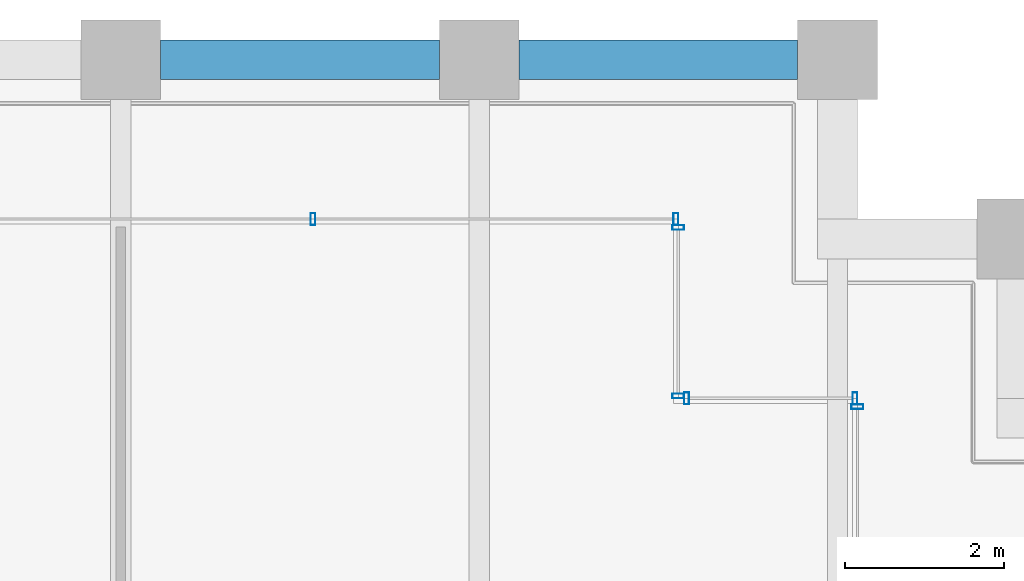
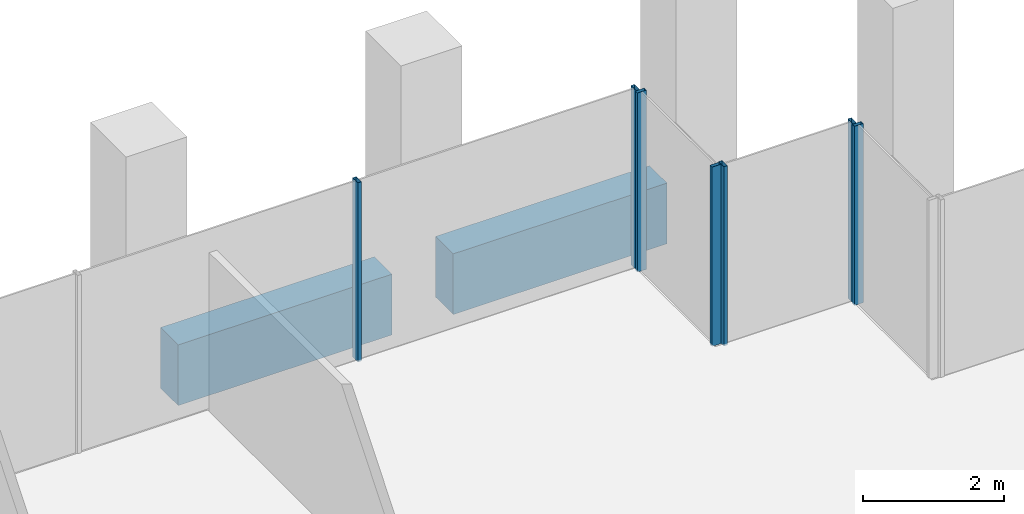
# One storey, part 26 of 47: 7 members, 2 beams, 4 elements without a shape of their own.
"""IFC4 building model written with IfcOpenShell, lengths in metres."""

import ifcopenshell
import ifcopenshell.guid

model = None  # the IFC model being written
_history = None  # IfcOwnerHistory: only IFC2X3 demands one
_inside = {}  # id of a spatial element -> (the spatial element, [elements in it])
_under = {}  # id of a project, library or spatial element -> (it, [spatial elements below it])
_declared = {}  # id of a project -> (the project, [libraries it declares])
_typed = {}  # id of a type object -> (the type object, [elements of that type])
_made_of = {}  # id of a material, layer set ... -> (it, [elements and type objects made of it])


def new_model(schema):
    """Start an empty IFC model of exactly this schema.

    Asked for "IFC4X3", IfcOpenShell would pick the latest addendum, in which some entities
    have other attributes; the version numbers below select the first issue.
    IFC2X3 requires an IfcOwnerHistory on every rooted entity: one is made here for all.
    """
    global model, _history
    if schema == "IFC4X3":
        model = ifcopenshell.file(schema_version=(4, 3, 0, 0))
    else:
        model = ifcopenshell.file(schema=schema)
    _inside.clear()
    _under.clear()
    _declared.clear()
    _typed.clear()
    _made_of.clear()
    _history = None
    if model.schema == "IFC2X3":
        org = make("IfcOrganization", Name="unknown")
        user = make(
            "IfcPersonAndOrganization",
            ThePerson=make("IfcPerson", FamilyName="unknown"),
            TheOrganization=org,
        )
        app = make(
            "IfcApplication",
            ApplicationDeveloper=org,
            Version="unknown",
            ApplicationFullName="unknown",
            ApplicationIdentifier="unknown",
        )
        _history = make(
            "IfcOwnerHistory",
            OwningUser=user,
            OwningApplication=app,
            ChangeAction="ADDED",
            CreationDate=0,
        )
    return model


def make(cls, **values):
    """One entity of the class cls with the attributes given. An attribute that is None is left unset."""
    return model.create_entity(
        cls, **{name: value for name, value in values.items() if value is not None}
    )


def rooted(cls, **values):
    """An entity with a GlobalId (a new one), such as an element, a storey or a relation."""
    return make(cls, GlobalId=ifcopenshell.guid.new(), OwnerHistory=_history, **values)


def si_unit(unit_type, name, prefix=None):
    """IfcSIUnit, for example si_unit("LENGTHUNIT", "METRE", prefix="MILLI")."""
    return make("IfcSIUnit", UnitType=unit_type, Prefix=prefix, Name=name)


def assignment(units):
    """IfcUnitAssignment: the units of a project."""
    return None if units is None else make("IfcUnitAssignment", Units=units)


def point(xyz):
    """IfcCartesianPoint."""
    return None if xyz is None else make("IfcCartesianPoint", Coordinates=xyz)


def direction(xyz):
    """IfcDirection."""
    return None if xyz is None else make("IfcDirection", DirectionRatios=xyz)


def frame(location, z_axis=None, x_axis=None):
    """IfcAxis2Placement3D, a coordinate frame: its origin and axes. An axis left out is left unset."""
    return make(
        "IfcAxis2Placement3D",
        Location=point(location),
        Axis=direction(z_axis),
        RefDirection=direction(x_axis),
    )


def frame_2d(location, x_axis=None):
    """IfcAxis2Placement2D, a coordinate frame in the plane: its origin and x axis."""
    return make(
        "IfcAxis2Placement2D", Location=point(location), RefDirection=direction(x_axis)
    )


def origin():
    """The frame at (0, 0, 0) with its axes left unset."""
    return frame((0.0, 0.0, 0.0))


def origin_2d():
    """The frame at (0, 0) in the plane with its x axis left unset."""
    return frame_2d((0.0, 0.0))


def place(relative_to, where):
    """IfcLocalPlacement: puts the frame where relative to a parent placement (None: the world)."""
    return make(
        "IfcLocalPlacement", PlacementRelTo=relative_to, RelativePlacement=where
    )


def context(
    kind, dimensions, precision=None, world=None, true_north=None, identifier=None
):
    """IfcGeometricRepresentationContext, for example the 3D "Model" context."""
    return make(
        "IfcGeometricRepresentationContext",
        ContextIdentifier=identifier,
        ContextType=kind,
        CoordinateSpaceDimension=dimensions,
        Precision=precision,
        WorldCoordinateSystem=world,
        TrueNorth=true_north,
    )


def subcontext(parent, identifier, kind, view, scale=None):
    """IfcGeometricRepresentationSubContext, for example "Body" below "Model"."""
    return make(
        "IfcGeometricRepresentationSubContext",
        ContextIdentifier=identifier,
        ContextType=kind,
        ParentContext=parent,
        TargetScale=scale,
        TargetView=view,
    )


def project(units=None, contexts=None):
    """IfcProject with its units and contexts."""
    return rooted(
        "IfcProject",
        Name="project",
        RepresentationContexts=contexts,
        UnitsInContext=assignment(units),
    )


def spatial(cls, under=None, at=None, **own):
    """A site, building, storey or space (cls), placed at a placement, below another one or the project."""
    s = rooted(cls, ObjectPlacement=at, **own)
    if under is not None:
        _under.setdefault(under.id(), (under, []))[1].append(s)
    return s


def profile(cls, at=None, kind="AREA", **sizes):
    """A parametric profile (cls). Its sizes go by their IFC names, for example OverallWidth=200.0."""
    return make(cls, ProfileType=kind, Position=at, **sizes)


def rectangle(**sizes):
    """IfcRectangleProfileDef."""
    return profile("IfcRectangleProfileDef", **sizes)


def hollow_rectangle(**sizes):
    """IfcRectangleHollowProfileDef."""
    return profile("IfcRectangleHollowProfileDef", **sizes)


def extrude(swept, where, along, depth):
    """IfcExtrudedAreaSolid: the profile swept, set in the frame where, extruded along a direction by depth."""
    return make(
        "IfcExtrudedAreaSolid",
        SweptArea=swept,
        Position=where,
        ExtrudedDirection=direction(along),
        Depth=depth,
    )


def shape(context_of_items, identifier, shape_type, items):
    """IfcShapeRepresentation: the items that make up one representation, for example the "Body"."""
    return make(
        "IfcShapeRepresentation",
        ContextOfItems=context_of_items,
        RepresentationIdentifier=identifier,
        RepresentationType=shape_type,
        Items=items,
    )


def material(Name=None, Category=None):
    """IfcMaterial."""
    return make("IfcMaterial", Name=Name, Category=Category)


def material_profile(
    of_material, cross_section, Name=None, Category=None, Priority=None
):
    """IfcMaterialProfile: a cross section and its material."""
    return make(
        "IfcMaterialProfile",
        Name=Name,
        Material=of_material,
        Profile=cross_section,
        Priority=Priority,
        Category=Category,
    )


def profile_set(profiles, Name=None, composite=None):
    """IfcMaterialProfileSet."""
    return make(
        "IfcMaterialProfileSet",
        Name=Name,
        MaterialProfiles=profiles,
        CompositeProfile=composite,
    )


def made_of(thing, what):
    """Note that an element or type object is made of a material, layer set ...; save() writes the relation."""
    if what is not None:
        _made_of.setdefault(what.id(), (what, []))[1].append(thing)
    return thing


def type_object(cls, material=None, **own):
    """A type object (cls), such as IfcWallType, which elements share."""
    return made_of(rooted(cls, **own), material)


def element(
    cls,
    number,
    at=None,
    inside=None,
    cuts=None,
    type_object=None,
    material=None,
    context=None,
    identifier="Body",
    shape_type=None,
    held_by="IfcProductDefinitionShape",
    body=None,
    shapes=None,
    **own,
):
    """One element of the class cls, such as IfcWall. Its Tag is "e" and its number.

    at: its placement. inside: the storey or other place that contains it. cuts: it is an
    opening in that element (IfcRelVoidsElement). A single representation is given by context,
    identifier, shape_type and body (its items); several are given by shapes. held_by: the class
    of the entity that holds the representations. save() writes the other relations.
    """
    e = rooted(cls, Tag="e%d" % number, ObjectPlacement=at, **own)
    if body is not None:
        shapes = [shape(context, identifier, shape_type, body)]
    if shapes is not None:
        e.Representation = make(held_by, Representations=shapes)
    if inside is not None:
        _inside.setdefault(inside.id(), (inside, []))[1].append(e)
    if cuts is not None:
        rooted(
            "IfcRelVoidsElement", RelatingBuildingElement=cuts, RelatedOpeningElement=e
        )
    if type_object is not None:
        _typed.setdefault(type_object.id(), (type_object, []))[1].append(e)
    return made_of(e, material)


def aggregate(whole, parts):
    """IfcRelAggregates: a whole, such as a stair, and the parts it consists of."""
    return rooted("IfcRelAggregates", RelatingObject=whole, RelatedObjects=parts)


def save(model, path):
    """Write the relations noted so far, then the file.

    IfcRelAggregates (storeys below a building ...), IfcRelContainedInSpatialStructure (elements
    in a storey), IfcRelDefinesByType, IfcRelAssociatesMaterial and IfcRelDeclares: one each for
    every whole, place, type object, material and project.
    """
    for whole, parts in _under.values():
        aggregate(whole, parts)
    for where, things in _inside.values():
        rooted(
            "IfcRelContainedInSpatialStructure",
            RelatedElements=things,
            RelatingStructure=where,
        )
    for kind, things in _typed.values():
        rooted("IfcRelDefinesByType", RelatedObjects=things, RelatingType=kind)
    for what, things in _made_of.values():
        rooted("IfcRelAssociatesMaterial", RelatedObjects=things, RelatingMaterial=what)
    for by, libraries in _declared.values():
        rooted("IfcRelDeclares", RelatingContext=by, RelatedDefinitions=libraries)
    model.write(path)


model = new_model("IFC4")

# Units and contexts
model_context = context("Model", 3, precision=1e-05, world=origin(), true_north=direction((0.0, 1.0)))
body_context = subcontext(model_context, "Body", "Model", "MODEL_VIEW")
ifc_project = project(units=[si_unit("LENGTHUNIT", "METRE"), si_unit("AREAUNIT", "SQUARE_METRE"), si_unit("VOLUMEUNIT", "CUBIC_METRE"), si_unit("PLANEANGLEUNIT", "RADIAN"), si_unit("MASSUNIT", "GRAM", prefix="KILO")], contexts=[model_context])

# Site, building, storey
site_placement = place(None, origin())
site = spatial("IfcSite", under=ifc_project, at=site_placement, CompositionType="ELEMENT")
building_placement = place(site_placement, origin())
building = spatial("IfcBuilding", under=site, at=building_placement, Name="Altepetl Exchange Towers", CompositionType="ELEMENT")
storey_placement = place(building_placement, frame((0.0, 0.0, 99.199951171875)))
storey = spatial("IfcBuildingStorey", under=building, at=storey_placement, Name="L24", CompositionType="ELEMENT", Elevation=99.199951171875)

# Curtain wall, member
ifc_material_1 = material(Name="Aluminium 6063-T6 glazing", Category="aluminium")
curtain_wall_type = type_object("IfcCurtainWallType", Name="Loggia glazing system", PredefinedType="NOTDEFINED", material=ifc_material_1)
curtain_wall_1_placement = place(storey_placement, origin())
curtain_wall_1 = element("IfcCurtainWall", 1, at=curtain_wall_1_placement, inside=storey, type_object=curtain_wall_type, Name="CW1 run", PredefinedType="NOTDEFINED")
ifc_material_2 = material(Name="Aluminium 6063-T6", Category="aluminium")
ifc_material_profile_1 = material_profile(ifc_material_2, hollow_rectangle(XDim=0.06005859375, YDim=0.14990234375, WallThickness=0.0029296875, at=origin_2d()), Name="Mullion 60x150 aluminium")
ifc_profile_set_1 = profile_set([ifc_material_profile_1], Name="Aluminium 6063-T6")
member_type = type_object("IfcMemberType", Name="Mullion 60x150 aluminium", PredefinedType="MULLION", material=ifc_profile_set_1)
member_1_placement = place(storey_placement, frame((67.75, 67.64501953125, 0.0), z_axis=(0.0, 0.0, 1.0), x_axis=(0.0, 1.0, 0.0)))
member_1 = element("IfcMember", 2, at=member_1_placement, type_object=member_type, Name="MU1 mullion", PredefinedType="MULLION", context=body_context, shape_type="SweptSolid", body=[
    extrude(hollow_rectangle(XDim=0.06005859375, YDim=0.14990234375, WallThickness=0.0029296875, at=origin_2d()), origin(), (0.0, 0.0, 1.0), 3.10009765625),
])
aggregate(curtain_wall_1, [member_1])

# Curtain wall, members
curtain_wall_2_placement = place(storey_placement, origin())
curtain_wall_2 = element("IfcCurtainWall", 3, at=curtain_wall_2_placement, inside=storey, type_object=curtain_wall_type, Name="CW1 run", PredefinedType="NOTDEFINED")
member_2_placement = place(storey_placement, frame((67.719970703125, 67.75, 0.0), z_axis=(0.0, 0.0, 1.0), x_axis=(-1.0, 0.0, 0.0)))
member_2 = element("IfcMember", 4, at=member_2_placement, type_object=member_type, Name="MU1 mullion", PredefinedType="MULLION", context=body_context, shape_type="SweptSolid", body=[
    extrude(hollow_rectangle(XDim=0.06005859375, YDim=0.14990234375, WallThickness=0.0029296875, at=origin_2d()), origin(), (0.0, 0.0, 1.0), 3.10009765625),
])
member_3_placement = place(storey_placement, frame((65.60498046875, 67.75, 0.0), z_axis=(0.0, 0.0, 1.0), x_axis=(-1.0, 0.0, 0.0)))
member_3 = element("IfcMember", 5, at=member_3_placement, type_object=member_type, Name="MU1 mullion", PredefinedType="MULLION", context=body_context, shape_type="SweptSolid", body=[
    extrude(hollow_rectangle(XDim=0.06005859375, YDim=0.14990234375, WallThickness=0.0029296875, at=origin_2d()), origin(), (0.0, 0.0, 1.0), 3.10009765625),
])
aggregate(curtain_wall_2, [member_2, member_3])

curtain_wall_3_placement = place(storey_placement, origin())
curtain_wall_3 = element("IfcCurtainWall", 6, at=curtain_wall_3_placement, inside=storey, type_object=curtain_wall_type, Name="CW1 run", PredefinedType="NOTDEFINED")
member_4_placement = place(storey_placement, frame((65.5, 67.780029296875, 0.0), z_axis=(0.0, 0.0, 1.0), x_axis=(0.0, 1.0, 0.0)))
member_4 = element("IfcMember", 7, at=member_4_placement, type_object=member_type, Name="MU1 mullion", PredefinedType="MULLION", context=body_context, shape_type="SweptSolid", body=[
    extrude(hollow_rectangle(XDim=0.06005859375, YDim=0.14990234375, WallThickness=0.0029296875, at=origin_2d()), origin(), (0.0, 0.0, 1.0), 3.10009765625),
])
member_5_placement = place(storey_placement, frame((65.5, 69.89501953125, 0.0), z_axis=(0.0, 0.0, 1.0), x_axis=(0.0, 1.0, 0.0)))
member_5 = element("IfcMember", 8, at=member_5_placement, type_object=member_type, Name="MU1 mullion", PredefinedType="MULLION", context=body_context, shape_type="SweptSolid", body=[
    extrude(hollow_rectangle(XDim=0.06005859375, YDim=0.14990234375, WallThickness=0.0029296875, at=origin_2d()), origin(), (0.0, 0.0, 1.0), 3.10009765625),
])
aggregate(curtain_wall_3, [member_4, member_5])

curtain_wall_4_placement = place(storey_placement, origin())
curtain_wall_4 = element("IfcCurtainWall", 9, at=curtain_wall_4_placement, inside=storey, type_object=curtain_wall_type, Name="CW1 run", PredefinedType="NOTDEFINED")
member_6_placement = place(storey_placement, frame((65.469970703125, 70.0, 0.0), z_axis=(0.0, 0.0, 1.0), x_axis=(-1.0, 0.0, 0.0)))
member_6 = element("IfcMember", 10, at=member_6_placement, type_object=member_type, Name="MU1 mullion", PredefinedType="MULLION", context=body_context, shape_type="SweptSolid", body=[
    extrude(hollow_rectangle(XDim=0.06005859375, YDim=0.14990234375, WallThickness=0.0029296875, at=origin_2d()), origin(), (0.0, 0.0, 1.0), 3.10009765625),
])
member_7_placement = place(storey_placement, frame((60.9150390625, 70.0, 0.0), z_axis=(0.0, 0.0, 1.0), x_axis=(-1.0, 0.0, 0.0)))
member_7 = element("IfcMember", 11, at=member_7_placement, type_object=member_type, Name="MU1 mullion", PredefinedType="MULLION", context=body_context, shape_type="SweptSolid", body=[
    extrude(hollow_rectangle(XDim=0.06005859375, YDim=0.14990234375, WallThickness=0.0029296875, at=origin_2d()), origin(), (0.0, 0.0, 1.0), 3.10009765625),
])
aggregate(curtain_wall_4, [member_6, member_7])

# Beams
ifc_material_3 = material(Name="Concrete C50/60 precast with cantera rosa facing", Category="concrete")
ifc_material_profile_2 = material_profile(ifc_material_3, rectangle(XDim=0.5, YDim=1.050048828125, at=origin_2d()), Name="500 x 1050")
ifc_profile_set_2 = profile_set([ifc_material_profile_2], Name="Concrete C50/60 precast with cantera rosa facing")
beam_type = type_object("IfcBeamType", Name="Spandrel beam 500x1050 cantera rosa", PredefinedType="SPANDREL", material=ifc_profile_set_2)
for number, where, z_axis, x_axis, name in (
    (12, (67.0, 72.0, -0.675048828125), (-1.0, 0.0, 0.0), (0.0, -1.0, 0.0), "sp:A:L24:024"),
    (13, (62.5, 72.0, -0.675048828125), (-1.0, 0.0, 0.0), (0.0, -1.0, 0.0), "sp:A:L24:025"),
):
    element("IfcBeam", number, at=place(storey_placement, frame(where, z_axis=z_axis, x_axis=x_axis)), inside=storey, type_object=beam_type, Name=name, PredefinedType="SPANDREL", context=body_context, shape_type="SweptSolid", body=[
        extrude(rectangle(XDim=0.5, YDim=1.050048828125, at=origin_2d()), origin(), (0.0, 0.0, 1.0), 3.5),
    ])

save(model, "model.ifc")
